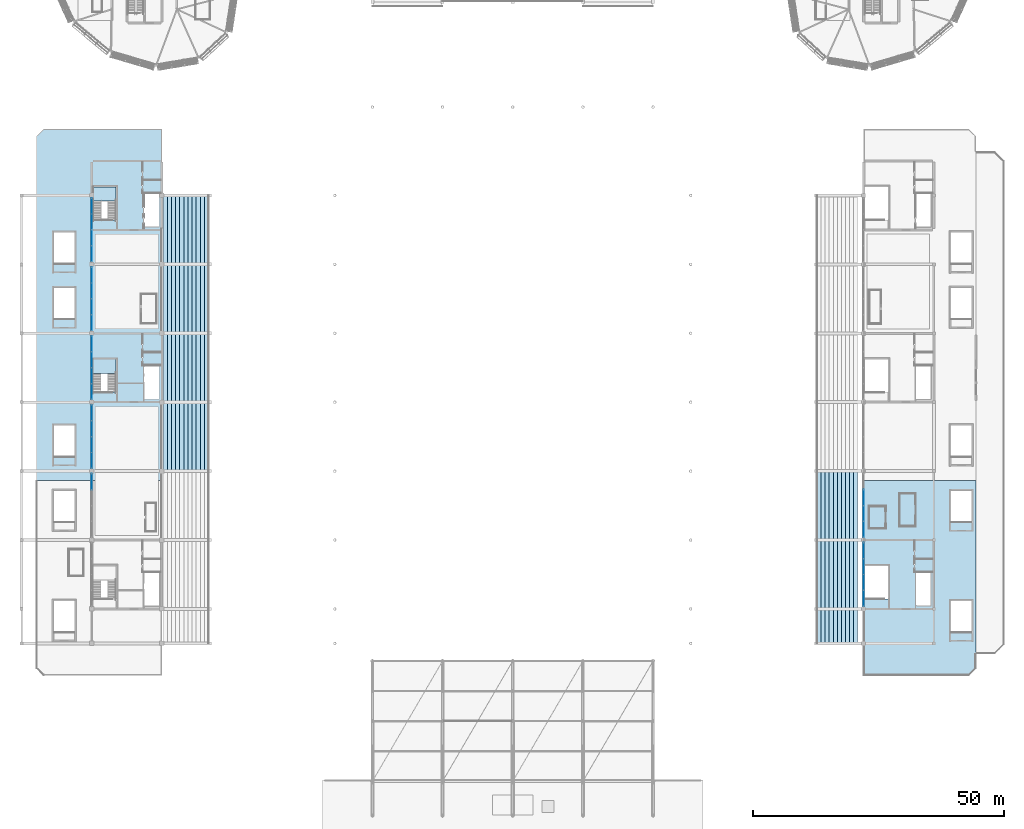
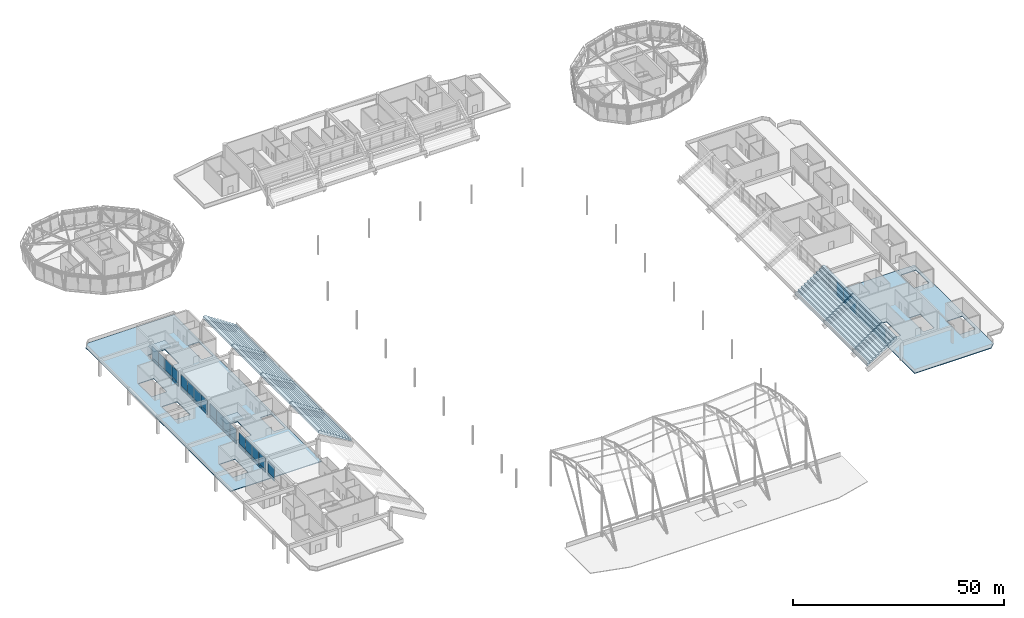
# One storey, part 61 of 90: 48 plates, 11 slabs, 9 elements without a shape of their own.
"""IFC4 building model written with IfcOpenShell, lengths in metres."""

from ifc_helpers import new_model, si_unit, direction, frame, origin, origin_2d, place, context, subcontext, project, spatial, polyline, rectangle, outline, extrude, material, layer, layer_set, type_object, element, aggregate, save


model = new_model("IFC4")

# Units and contexts
model_context = context("Model", 3, precision=1e-05, world=origin(), true_north=direction((0.0, 1.0)))
body_context = subcontext(model_context, "Body", "Model", "MODEL_VIEW")
ifc_project = project(units=[si_unit("LENGTHUNIT", "METRE"), si_unit("AREAUNIT", "SQUARE_METRE"), si_unit("VOLUMEUNIT", "CUBIC_METRE"), si_unit("PLANEANGLEUNIT", "RADIAN"), si_unit("MASSUNIT", "GRAM", prefix="KILO")], contexts=[model_context])

# Site, building, storey
site_placement = place(None, origin())
site = spatial("IfcSite", under=ifc_project, at=site_placement, CompositionType="ELEMENT")
building_placement = place(site_placement, origin())
building = spatial("IfcBuilding", under=site, at=building_placement, Name="Linyun Crest Stadium", CompositionType="ELEMENT")
storey_placement = place(building_placement, frame((0.0, 0.0, 21.0)))
storey = spatial("IfcBuildingStorey", under=building, at=storey_placement, Name="L05", CompositionType="ELEMENT", Elevation=21.0)

# Slabs
ifc_material_1 = material(Name="Concrete C40", Category="concrete")
ifc_layer_1 = layer(ifc_material_1, 0.199951171875)
ifc_layer_set_1 = layer_set([ifc_layer_1], Name="Concrete C40")
slab_type_1 = type_object("IfcSlabType", Name="FS02", PredefinedType="FLOOR", material=ifc_layer_set_1)
slab_1_placement = place(storey_placement, frame((0.0, 0.0, -0.199951171875)))
element("IfcSlab", 1, at=slab_1_placement, inside=storey, type_object=slab_type_1, Name="Slab FS02 V1 L05 11", PredefinedType="FLOOR", context=body_context, shape_type="SweptSolid", body=[
    extrude(outline(polyline([(-95.0, -13.489990234375), (-70.0, -13.489990234375), (-70.0, 56.5849609375), (-93.60009765625, 56.5849609375), (-95.0, 55.18505859375), (-95.0, -13.489990234375)]), holes=[polyline([(-83.800048828125, 4.14501953125), (-83.800048828125, 10.72509765625), (-79.10009765625, 10.72509765625), (-79.10009765625, 4.14501953125), (-83.800048828125, 4.14501953125)]), polyline([(-73.60009765625, 2.77490234375), (-73.60009765625, 9.375), (-70.60009765625, 9.375), (-70.60009765625, 2.77490234375), (-73.60009765625, 2.77490234375)]), polyline([(-83.77490234375, 38.52001953125), (-83.77490234375, 45.10009765625), (-79.10009765625, 45.10009765625), (-79.10009765625, 38.52001953125), (-83.77490234375, 38.52001953125)]), polyline([(-73.60009765625, 37.14990234375), (-73.60009765625, 43.75), (-70.60009765625, 43.75), (-70.60009765625, 37.14990234375), (-73.60009765625, 37.14990234375)]), polyline([(-91.60009765625, -8.75), (-91.60009765625, -2.5), (-87.39990234375, -2.5), (-87.39990234375, -8.75), (-91.60009765625, -8.75)]), polyline([(-91.60009765625, 18.75), (-91.60009765625, 25.0), (-87.39990234375, 25.0), (-87.39990234375, 18.75), (-91.60009765625, 18.75)]), polyline([(-91.60009765625, 29.75), (-91.60009765625, 36.0), (-87.39990234375, 36.0), (-87.39990234375, 29.75), (-91.60009765625, 29.75)])]), origin(), (0.0, 0.0, 1.0), 0.199951171875),
])
slab_2_placement = place(storey_placement, frame((0.0, 0.0, -0.199951171875)))
element("IfcSlab", 2, at=slab_2_placement, inside=storey, type_object=slab_type_1, Name="Slab FS02 V2 L05 26", PredefinedType="FLOOR", context=body_context, shape_type="SweptSolid", body=[
    extrude(outline(polyline([(70.0, -52.3349609375), (91.0, -52.3349609375), (92.39990234375, -50.93505859375), (92.39990234375, -13.510009765625), (70.0, -13.510009765625), (70.0, -52.3349609375)]), holes=[polyline([(70.175048828125, -37.10498046875), (70.175048828125, -30.52490234375), (74.89990234375, -30.52490234375), (74.89990234375, -37.10498046875), (70.175048828125, -37.10498046875)]), polyline([(80.39990234375, -38.47509765625), (80.39990234375, -31.875), (83.39990234375, -31.875), (83.39990234375, -38.47509765625), (80.39990234375, -38.47509765625)]), polyline([(87.39990234375, -43.75), (87.39990234375, -37.5), (91.60009765625, -37.5), (91.60009765625, -43.75), (87.39990234375, -43.75)]), polyline([(87.39990234375, -21.75), (87.39990234375, -15.5), (91.60009765625, -15.5), (91.60009765625, -21.75), (87.39990234375, -21.75)])]), origin(), (0.0, 0.0, 1.0), 0.199951171875),
])

# Curtain wall, plates
ifc_material_2 = material(Name="Verdigris steel and low-E curtain wall assembly", Category="steel")
curtain_wall_type = type_object("IfcCurtainWallType", Name="MCW01", PredefinedType="NOTDEFINED", material=ifc_material_2)
curtain_wall_1_placement = place(storey_placement, origin())
curtain_wall_1 = element("IfcCurtainWall", 3, at=curtain_wall_1_placement, inside=storey, type_object=curtain_wall_type, Name="CWR-081", PredefinedType="NOTDEFINED")
ifc_material_3 = material(Name="Double silver low-E insulated glass", Category="glass")
ifc_layer_2 = layer(ifc_material_3, 0.02587890625)
ifc_layer_set_2 = layer_set([ifc_layer_2], Name="Double silver low-E insulated glass")
plate_type_1 = type_object("IfcPlateType", Name="GP01", PredefinedType="CURTAIN_PANEL", material=ifc_layer_set_2)
plate_1_placement = place(storey_placement, frame((70.0, -36.993896484375, 0.9248046875), z_axis=(0.0, 0.0, 1.0), x_axis=(0.0, 1.0, 0.0)))
plate_1 = element("IfcPlate", 4, at=plate_1_placement, type_object=plate_type_1, Name="CWR-081 panel 1.2", PredefinedType="CURTAIN_PANEL", context=body_context, shape_type="SweptSolid", body=[
    extrude(rectangle(XDim=3.112548828125, YDim=0.02587890625, at=origin_2d()), origin(), (0.0, 0.0, 1.0), 3.300048828125),
])
plate_2_placement = place(storey_placement, frame((70.0, -33.8310546875, 0.9248046875), z_axis=(0.0, 0.0, 1.0), x_axis=(0.0, 1.0, 0.0)))
plate_2 = element("IfcPlate", 5, at=plate_2_placement, type_object=plate_type_1, Name="CWR-081 panel 2.2", PredefinedType="CURTAIN_PANEL", context=body_context, shape_type="SweptSolid", body=[
    extrude(rectangle(XDim=3.112548828125, YDim=0.02587890625, at=origin_2d()), origin(), (0.0, 0.0, 1.0), 3.300048828125),
])
plate_3_placement = place(storey_placement, frame((70.0, -30.6689453125, 0.9248046875), z_axis=(0.0, 0.0, 1.0), x_axis=(0.0, 1.0, 0.0)))
plate_3 = element("IfcPlate", 6, at=plate_3_placement, type_object=plate_type_1, Name="CWR-081 panel 3.2", PredefinedType="CURTAIN_PANEL", context=body_context, shape_type="SweptSolid", body=[
    extrude(rectangle(XDim=3.112548828125, YDim=0.02587890625, at=origin_2d()), origin(), (0.0, 0.0, 1.0), 3.300048828125),
])
plate_4_placement = place(storey_placement, frame((70.0, -27.506103515625, 0.9248046875), z_axis=(0.0, 0.0, 1.0), x_axis=(0.0, 1.0, 0.0)))
plate_4 = element("IfcPlate", 7, at=plate_4_placement, type_object=plate_type_1, Name="CWR-081 panel 4.2", PredefinedType="CURTAIN_PANEL", context=body_context, shape_type="SweptSolid", body=[
    extrude(rectangle(XDim=3.112548828125, YDim=0.02587890625, at=origin_2d()), origin(), (0.0, 0.0, 1.0), 3.300048828125),
])

# Curtain wall, plate
curtain_wall_2_placement = place(storey_placement, origin())
curtain_wall_2 = element("IfcCurtainWall", 8, at=curtain_wall_2_placement, inside=storey, type_object=curtain_wall_type, Name="CWR-085", PredefinedType="NOTDEFINED")
plate_5_placement = place(storey_placement, frame((-84.0, -13.756103515625, 0.9248046875), z_axis=(0.0, 0.0, 1.0), x_axis=(0.0, 1.0, 0.0)))
plate_5 = element("IfcPlate", 9, at=plate_5_placement, type_object=plate_type_1, Name="CWR-085 panel 4.2", PredefinedType="CURTAIN_PANEL", context=body_context, shape_type="SweptSolid", body=[
    extrude(rectangle(XDim=3.112548828125, YDim=0.02587890625, at=origin_2d()), origin(), (0.0, 0.0, 1.0), 3.300048828125),
])

# Curtain wall, plates
curtain_wall_3_placement = place(storey_placement, origin())
curtain_wall_3 = element("IfcCurtainWall", 10, at=curtain_wall_3_placement, inside=storey, type_object=curtain_wall_type, Name="CWR-090", PredefinedType="NOTDEFINED")
plate_6_placement = place(storey_placement, frame((70.0, -23.243896484375, 0.9248046875), z_axis=(0.0, 0.0, 1.0), x_axis=(0.0, 1.0, 0.0)))
plate_6 = element("IfcPlate", 11, at=plate_6_placement, type_object=plate_type_1, Name="CWR-090 panel 1.2", PredefinedType="CURTAIN_PANEL", context=body_context, shape_type="SweptSolid", body=[
    extrude(rectangle(XDim=3.112548828125, YDim=0.02587890625, at=origin_2d()), origin(), (0.0, 0.0, 1.0), 3.300048828125),
])
plate_7_placement = place(storey_placement, frame((70.0, -20.0810546875, 0.9248046875), z_axis=(0.0, 0.0, 1.0), x_axis=(0.0, 1.0, 0.0)))
plate_7 = element("IfcPlate", 12, at=plate_7_placement, type_object=plate_type_1, Name="CWR-090 panel 2.2", PredefinedType="CURTAIN_PANEL", context=body_context, shape_type="SweptSolid", body=[
    extrude(rectangle(XDim=3.112548828125, YDim=0.02587890625, at=origin_2d()), origin(), (0.0, 0.0, 1.0), 3.300048828125),
])
plate_8_placement = place(storey_placement, frame((70.0, -16.9189453125, 0.9248046875), z_axis=(0.0, 0.0, 1.0), x_axis=(0.0, 1.0, 0.0)))
plate_8 = element("IfcPlate", 13, at=plate_8_placement, type_object=plate_type_1, Name="CWR-090 panel 3.2", PredefinedType="CURTAIN_PANEL", context=body_context, shape_type="SweptSolid", body=[
    extrude(rectangle(XDim=3.112548828125, YDim=0.02587890625, at=origin_2d()), origin(), (0.0, 0.0, 1.0), 3.300048828125),
])

curtain_wall_4_placement = place(storey_placement, origin())
curtain_wall_4 = element("IfcCurtainWall", 14, at=curtain_wall_4_placement, inside=storey, type_object=curtain_wall_type, Name="CWR-094", PredefinedType="NOTDEFINED")
plate_9_placement = place(storey_placement, frame((-84.0, -9.493896484375, 0.9248046875), z_axis=(0.0, 0.0, 1.0), x_axis=(0.0, 1.0, 0.0)))
plate_9 = element("IfcPlate", 15, at=plate_9_placement, type_object=plate_type_1, Name="CWR-094 panel 1.2", PredefinedType="CURTAIN_PANEL", context=body_context, shape_type="SweptSolid", body=[
    extrude(rectangle(XDim=3.112548828125, YDim=0.02587890625, at=origin_2d()), origin(), (0.0, 0.0, 1.0), 3.300048828125),
])
plate_10_placement = place(storey_placement, frame((-84.0, -6.3310546875, 0.9248046875), z_axis=(0.0, 0.0, 1.0), x_axis=(0.0, 1.0, 0.0)))
plate_10 = element("IfcPlate", 16, at=plate_10_placement, type_object=plate_type_1, Name="CWR-094 panel 2.2", PredefinedType="CURTAIN_PANEL", context=body_context, shape_type="SweptSolid", body=[
    extrude(rectangle(XDim=3.112548828125, YDim=0.02587890625, at=origin_2d()), origin(), (0.0, 0.0, 1.0), 3.300048828125),
])
plate_11_placement = place(storey_placement, frame((-84.0, -3.1689453125, 0.9248046875), z_axis=(0.0, 0.0, 1.0), x_axis=(0.0, 1.0, 0.0)))
plate_11 = element("IfcPlate", 17, at=plate_11_placement, type_object=plate_type_1, Name="CWR-094 panel 3.2", PredefinedType="CURTAIN_PANEL", context=body_context, shape_type="SweptSolid", body=[
    extrude(rectangle(XDim=3.112548828125, YDim=0.02587890625, at=origin_2d()), origin(), (0.0, 0.0, 1.0), 3.300048828125),
])
plate_12_placement = place(storey_placement, frame((-84.0, -0.006103515625, 0.9248046875), z_axis=(0.0, 0.0, 1.0), x_axis=(0.0, 1.0, 0.0)))
plate_12 = element("IfcPlate", 18, at=plate_12_placement, type_object=plate_type_1, Name="CWR-094 panel 4.2", PredefinedType="CURTAIN_PANEL", context=body_context, shape_type="SweptSolid", body=[
    extrude(rectangle(XDim=3.112548828125, YDim=0.02587890625, at=origin_2d()), origin(), (0.0, 0.0, 1.0), 3.300048828125),
])

curtain_wall_5_placement = place(storey_placement, origin())
curtain_wall_5 = element("IfcCurtainWall", 19, at=curtain_wall_5_placement, inside=storey, type_object=curtain_wall_type, Name="CWR-103", PredefinedType="NOTDEFINED")
plate_13_placement = place(storey_placement, frame((-84.0, 4.256103515625, 0.9248046875), z_axis=(0.0, 0.0, 1.0), x_axis=(0.0, 1.0, 0.0)))
plate_13 = element("IfcPlate", 20, at=plate_13_placement, type_object=plate_type_1, Name="CWR-103 panel 1.2", PredefinedType="CURTAIN_PANEL", context=body_context, shape_type="SweptSolid", body=[
    extrude(rectangle(XDim=3.112548828125, YDim=0.02587890625, at=origin_2d()), origin(), (0.0, 0.0, 1.0), 3.300048828125),
])
plate_14_placement = place(storey_placement, frame((-84.0, 7.4189453125, 0.9248046875), z_axis=(0.0, 0.0, 1.0), x_axis=(0.0, 1.0, 0.0)))
plate_14 = element("IfcPlate", 21, at=plate_14_placement, type_object=plate_type_1, Name="CWR-103 panel 2.2", PredefinedType="CURTAIN_PANEL", context=body_context, shape_type="SweptSolid", body=[
    extrude(rectangle(XDim=3.112548828125, YDim=0.02587890625, at=origin_2d()), origin(), (0.0, 0.0, 1.0), 3.300048828125),
])
plate_15_placement = place(storey_placement, frame((-84.0, 10.5810546875, 0.9248046875), z_axis=(0.0, 0.0, 1.0), x_axis=(0.0, 1.0, 0.0)))
plate_15 = element("IfcPlate", 22, at=plate_15_placement, type_object=plate_type_1, Name="CWR-103 panel 3.2", PredefinedType="CURTAIN_PANEL", context=body_context, shape_type="SweptSolid", body=[
    extrude(rectangle(XDim=3.112548828125, YDim=0.02587890625, at=origin_2d()), origin(), (0.0, 0.0, 1.0), 3.300048828125),
])
plate_16_placement = place(storey_placement, frame((-84.0, 13.743896484375, 0.9248046875), z_axis=(0.0, 0.0, 1.0), x_axis=(0.0, 1.0, 0.0)))
plate_16 = element("IfcPlate", 23, at=plate_16_placement, type_object=plate_type_1, Name="CWR-103 panel 4.2", PredefinedType="CURTAIN_PANEL", context=body_context, shape_type="SweptSolid", body=[
    extrude(rectangle(XDim=3.112548828125, YDim=0.02587890625, at=origin_2d()), origin(), (0.0, 0.0, 1.0), 3.300048828125),
])

curtain_wall_6_placement = place(storey_placement, origin())
curtain_wall_6 = element("IfcCurtainWall", 24, at=curtain_wall_6_placement, inside=storey, type_object=curtain_wall_type, Name="CWR-112", PredefinedType="NOTDEFINED")
plate_17_placement = place(storey_placement, frame((-84.0, 18.006103515625, 0.9248046875), z_axis=(0.0, 0.0, 1.0), x_axis=(0.0, 1.0, 0.0)))
plate_17 = element("IfcPlate", 25, at=plate_17_placement, type_object=plate_type_1, Name="CWR-112 panel 1.2", PredefinedType="CURTAIN_PANEL", context=body_context, shape_type="SweptSolid", body=[
    extrude(rectangle(XDim=3.112548828125, YDim=0.02587890625, at=origin_2d()), origin(), (0.0, 0.0, 1.0), 3.300048828125),
])
plate_18_placement = place(storey_placement, frame((-84.0, 21.1689453125, 0.9248046875), z_axis=(0.0, 0.0, 1.0), x_axis=(0.0, 1.0, 0.0)))
plate_18 = element("IfcPlate", 26, at=plate_18_placement, type_object=plate_type_1, Name="CWR-112 panel 2.2", PredefinedType="CURTAIN_PANEL", context=body_context, shape_type="SweptSolid", body=[
    extrude(rectangle(XDim=3.112548828125, YDim=0.02587890625, at=origin_2d()), origin(), (0.0, 0.0, 1.0), 3.300048828125),
])
plate_19_placement = place(storey_placement, frame((-84.0, 24.3310546875, 0.9248046875), z_axis=(0.0, 0.0, 1.0), x_axis=(0.0, 1.0, 0.0)))
plate_19 = element("IfcPlate", 27, at=plate_19_placement, type_object=plate_type_1, Name="CWR-112 panel 3.2", PredefinedType="CURTAIN_PANEL", context=body_context, shape_type="SweptSolid", body=[
    extrude(rectangle(XDim=3.112548828125, YDim=0.02587890625, at=origin_2d()), origin(), (0.0, 0.0, 1.0), 3.300048828125),
])
plate_20_placement = place(storey_placement, frame((-84.0, 27.493896484375, 0.9248046875), z_axis=(0.0, 0.0, 1.0), x_axis=(0.0, 1.0, 0.0)))
plate_20 = element("IfcPlate", 28, at=plate_20_placement, type_object=plate_type_1, Name="CWR-112 panel 4.2", PredefinedType="CURTAIN_PANEL", context=body_context, shape_type="SweptSolid", body=[
    extrude(rectangle(XDim=3.112548828125, YDim=0.02587890625, at=origin_2d()), origin(), (0.0, 0.0, 1.0), 3.300048828125),
])

curtain_wall_7_placement = place(storey_placement, origin())
curtain_wall_7 = element("IfcCurtainWall", 29, at=curtain_wall_7_placement, inside=storey, type_object=curtain_wall_type, Name="CWR-121", PredefinedType="NOTDEFINED")
plate_21_placement = place(storey_placement, frame((-84.0, 31.756103515625, 0.9248046875), z_axis=(0.0, 0.0, 1.0), x_axis=(0.0, 1.0, 0.0)))
plate_21 = element("IfcPlate", 30, at=plate_21_placement, type_object=plate_type_1, Name="CWR-121 panel 1.2", PredefinedType="CURTAIN_PANEL", context=body_context, shape_type="SweptSolid", body=[
    extrude(rectangle(XDim=3.112548828125, YDim=0.02587890625, at=origin_2d()), origin(), (0.0, 0.0, 1.0), 3.300048828125),
])
plate_22_placement = place(storey_placement, frame((-84.0, 34.9189453125, 0.9248046875), z_axis=(0.0, 0.0, 1.0), x_axis=(0.0, 1.0, 0.0)))
plate_22 = element("IfcPlate", 31, at=plate_22_placement, type_object=plate_type_1, Name="CWR-121 panel 2.2", PredefinedType="CURTAIN_PANEL", context=body_context, shape_type="SweptSolid", body=[
    extrude(rectangle(XDim=3.112548828125, YDim=0.02587890625, at=origin_2d()), origin(), (0.0, 0.0, 1.0), 3.300048828125),
])
plate_23_placement = place(storey_placement, frame((-84.0, 38.0810546875, 0.9248046875), z_axis=(0.0, 0.0, 1.0), x_axis=(0.0, 1.0, 0.0)))
plate_23 = element("IfcPlate", 32, at=plate_23_placement, type_object=plate_type_1, Name="CWR-121 panel 3.2", PredefinedType="CURTAIN_PANEL", context=body_context, shape_type="SweptSolid", body=[
    extrude(rectangle(XDim=3.112548828125, YDim=0.02587890625, at=origin_2d()), origin(), (0.0, 0.0, 1.0), 3.300048828125),
])
plate_24_placement = place(storey_placement, frame((-84.0, 41.243896484375, 0.9248046875), z_axis=(0.0, 0.0, 1.0), x_axis=(0.0, 1.0, 0.0)))
plate_24 = element("IfcPlate", 33, at=plate_24_placement, type_object=plate_type_1, Name="CWR-121 panel 4.2", PredefinedType="CURTAIN_PANEL", context=body_context, shape_type="SweptSolid", body=[
    extrude(rectangle(XDim=3.112548828125, YDim=0.02587890625, at=origin_2d()), origin(), (0.0, 0.0, 1.0), 3.300048828125),
])

# Stair, slab
ifc_material_4 = material(Name="Concrete C40", Category="concrete")
stair_type = type_object("IfcStairType", Name="STA02", PredefinedType="HALF_TURN_STAIR", material=ifc_material_4)
stair_1_placement = place(storey_placement, origin())
stair_1 = element("IfcStair", 34, at=stair_1_placement, inside=storey, type_object=stair_type, Name="Evacuation stair STR-02-L05", PredefinedType="HALF_TURN_STAIR")
ifc_material_5 = material(Name="Concrete C40", Category="concrete")
ifc_layer_3 = layer(ifc_material_5, 0.179931640625)
ifc_layer_set_3 = layer_set([ifc_layer_3], Name="Concrete C40")
slab_type_2 = type_object("IfcSlabType", Name="LS01", PredefinedType="LANDING", material=ifc_layer_set_3)
slab_3_placement = place(storey_placement, frame((0.0, 0.0, 2.52001953125)))
slab_3 = element("IfcSlab", 35, at=slab_3_placement, type_object=slab_type_2, Name="STR-02-L05 half-landing", PredefinedType="LANDING", context=body_context, shape_type="SweptSolid", body=[
    extrude(outline(polyline([(-83.800048828125, 7.864990234375), (-79.10009765625, 7.864990234375), (-79.10009765625, 10.72509765625), (-83.800048828125, 10.72509765625), (-83.800048828125, 7.864990234375)])), origin(), (0.0, 0.0, 1.0), 0.179931640625),
])
aggregate(stair_1, [slab_3])

stair_2_placement = place(storey_placement, origin())
stair_2 = element("IfcStair", 36, at=stair_2_placement, inside=storey, type_object=stair_type, Name="Evacuation stair STR-03-L05", PredefinedType="HALF_TURN_STAIR")
slab_4_placement = place(storey_placement, frame((0.0, 0.0, 2.52001953125)))
slab_4 = element("IfcSlab", 37, at=slab_4_placement, type_object=slab_type_2, Name="STR-03-L05 half-landing", PredefinedType="LANDING", context=body_context, shape_type="SweptSolid", body=[
    extrude(outline(polyline([(-83.77490234375, 42.239990234375), (-79.10009765625, 42.239990234375), (-79.10009765625, 45.10009765625), (-83.77490234375, 45.10009765625), (-83.77490234375, 42.239990234375)])), origin(), (0.0, 0.0, 1.0), 0.179931640625),
])
aggregate(stair_2, [slab_4])

# Plate
ifc_material_6 = material(Name="Celadon glazed ceramic faience insulated spandrel")
ifc_layer_4 = layer(ifc_material_6, 0.0419921875)
ifc_layer_set_4 = layer_set([ifc_layer_4], Name="Celadon glazed ceramic faience insulated spandrel")
plate_type_2 = type_object("IfcPlateType", Name="SP01", PredefinedType="SHEET", material=ifc_layer_set_4)
plate_25_placement = place(storey_placement, frame((70.0, -36.993896484375, 0.02490234375), z_axis=(0.0, 0.0, 1.0), x_axis=(0.0, 1.0, 0.0)))
plate_25 = element("IfcPlate", 38, at=plate_25_placement, type_object=plate_type_2, Name="CWR-081 panel 1.1", PredefinedType="SHEET", context=body_context, shape_type="SweptSolid", body=[
    extrude(rectangle(XDim=3.112548828125, YDim=0.0419921875, at=origin_2d()), origin(), (0.0, 0.0, 1.0), 0.85009765625),
])

plate_26_placement = place(storey_placement, frame((70.0, -33.8310546875, 0.02490234375), z_axis=(0.0, 0.0, 1.0), x_axis=(0.0, 1.0, 0.0)))
plate_26 = element("IfcPlate", 39, at=plate_26_placement, type_object=plate_type_2, Name="CWR-081 panel 2.1", PredefinedType="SHEET", context=body_context, shape_type="SweptSolid", body=[
    extrude(rectangle(XDim=3.112548828125, YDim=0.0419921875, at=origin_2d()), origin(), (0.0, 0.0, 1.0), 0.85009765625),
])

plate_27_placement = place(storey_placement, frame((70.0, -30.6689453125, 0.02490234375), z_axis=(0.0, 0.0, 1.0), x_axis=(0.0, 1.0, 0.0)))
plate_27 = element("IfcPlate", 40, at=plate_27_placement, type_object=plate_type_2, Name="CWR-081 panel 3.1", PredefinedType="SHEET", context=body_context, shape_type="SweptSolid", body=[
    extrude(rectangle(XDim=3.112548828125, YDim=0.0419921875, at=origin_2d()), origin(), (0.0, 0.0, 1.0), 0.85009765625),
])

plate_28_placement = place(storey_placement, frame((70.0, -27.506103515625, 0.02490234375), z_axis=(0.0, 0.0, 1.0), x_axis=(0.0, 1.0, 0.0)))
plate_28 = element("IfcPlate", 41, at=plate_28_placement, type_object=plate_type_2, Name="CWR-081 panel 4.1", PredefinedType="SHEET", context=body_context, shape_type="SweptSolid", body=[
    extrude(rectangle(XDim=3.112548828125, YDim=0.0419921875, at=origin_2d()), origin(), (0.0, 0.0, 1.0), 0.85009765625),
])

aggregate(curtain_wall_1, [plate_25, plate_1, plate_26, plate_2, plate_27, plate_3, plate_28, plate_4])

plate_29_placement = place(storey_placement, frame((-84.0, -13.756103515625, 0.02490234375), z_axis=(0.0, 0.0, 1.0), x_axis=(0.0, 1.0, 0.0)))
plate_29 = element("IfcPlate", 42, at=plate_29_placement, type_object=plate_type_2, Name="CWR-085 panel 4.1", PredefinedType="SHEET", context=body_context, shape_type="SweptSolid", body=[
    extrude(rectangle(XDim=3.112548828125, YDim=0.0419921875, at=origin_2d()), origin(), (0.0, 0.0, 1.0), 0.85009765625),
])

aggregate(curtain_wall_2, [plate_29, plate_5])

plate_30_placement = place(storey_placement, frame((70.0, -23.243896484375, 0.02490234375), z_axis=(0.0, 0.0, 1.0), x_axis=(0.0, 1.0, 0.0)))
plate_30 = element("IfcPlate", 43, at=plate_30_placement, type_object=plate_type_2, Name="CWR-090 panel 1.1", PredefinedType="SHEET", context=body_context, shape_type="SweptSolid", body=[
    extrude(rectangle(XDim=3.112548828125, YDim=0.0419921875, at=origin_2d()), origin(), (0.0, 0.0, 1.0), 0.85009765625),
])

plate_31_placement = place(storey_placement, frame((70.0, -20.0810546875, 0.02490234375), z_axis=(0.0, 0.0, 1.0), x_axis=(0.0, 1.0, 0.0)))
plate_31 = element("IfcPlate", 44, at=plate_31_placement, type_object=plate_type_2, Name="CWR-090 panel 2.1", PredefinedType="SHEET", context=body_context, shape_type="SweptSolid", body=[
    extrude(rectangle(XDim=3.112548828125, YDim=0.0419921875, at=origin_2d()), origin(), (0.0, 0.0, 1.0), 0.85009765625),
])

plate_32_placement = place(storey_placement, frame((70.0, -16.9189453125, 0.02490234375), z_axis=(0.0, 0.0, 1.0), x_axis=(0.0, 1.0, 0.0)))
plate_32 = element("IfcPlate", 45, at=plate_32_placement, type_object=plate_type_2, Name="CWR-090 panel 3.1", PredefinedType="SHEET", context=body_context, shape_type="SweptSolid", body=[
    extrude(rectangle(XDim=3.112548828125, YDim=0.0419921875, at=origin_2d()), origin(), (0.0, 0.0, 1.0), 0.85009765625),
])

aggregate(curtain_wall_3, [plate_30, plate_6, plate_31, plate_7, plate_32, plate_8])

plate_33_placement = place(storey_placement, frame((-84.0, -9.493896484375, 0.02490234375), z_axis=(0.0, 0.0, 1.0), x_axis=(0.0, 1.0, 0.0)))
plate_33 = element("IfcPlate", 46, at=plate_33_placement, type_object=plate_type_2, Name="CWR-094 panel 1.1", PredefinedType="SHEET", context=body_context, shape_type="SweptSolid", body=[
    extrude(rectangle(XDim=3.112548828125, YDim=0.0419921875, at=origin_2d()), origin(), (0.0, 0.0, 1.0), 0.85009765625),
])

plate_34_placement = place(storey_placement, frame((-84.0, -6.3310546875, 0.02490234375), z_axis=(0.0, 0.0, 1.0), x_axis=(0.0, 1.0, 0.0)))
plate_34 = element("IfcPlate", 47, at=plate_34_placement, type_object=plate_type_2, Name="CWR-094 panel 2.1", PredefinedType="SHEET", context=body_context, shape_type="SweptSolid", body=[
    extrude(rectangle(XDim=3.112548828125, YDim=0.0419921875, at=origin_2d()), origin(), (0.0, 0.0, 1.0), 0.85009765625),
])

plate_35_placement = place(storey_placement, frame((-84.0, -3.1689453125, 0.02490234375), z_axis=(0.0, 0.0, 1.0), x_axis=(0.0, 1.0, 0.0)))
plate_35 = element("IfcPlate", 48, at=plate_35_placement, type_object=plate_type_2, Name="CWR-094 panel 3.1", PredefinedType="SHEET", context=body_context, shape_type="SweptSolid", body=[
    extrude(rectangle(XDim=3.112548828125, YDim=0.0419921875, at=origin_2d()), origin(), (0.0, 0.0, 1.0), 0.85009765625),
])

plate_36_placement = place(storey_placement, frame((-84.0, -0.006103515625, 0.02490234375), z_axis=(0.0, 0.0, 1.0), x_axis=(0.0, 1.0, 0.0)))
plate_36 = element("IfcPlate", 49, at=plate_36_placement, type_object=plate_type_2, Name="CWR-094 panel 4.1", PredefinedType="SHEET", context=body_context, shape_type="SweptSolid", body=[
    extrude(rectangle(XDim=3.112548828125, YDim=0.0419921875, at=origin_2d()), origin(), (0.0, 0.0, 1.0), 0.85009765625),
])

aggregate(curtain_wall_4, [plate_33, plate_9, plate_34, plate_10, plate_35, plate_11, plate_36, plate_12])

plate_37_placement = place(storey_placement, frame((-84.0, 4.256103515625, 0.02490234375), z_axis=(0.0, 0.0, 1.0), x_axis=(0.0, 1.0, 0.0)))
plate_37 = element("IfcPlate", 50, at=plate_37_placement, type_object=plate_type_2, Name="CWR-103 panel 1.1", PredefinedType="SHEET", context=body_context, shape_type="SweptSolid", body=[
    extrude(rectangle(XDim=3.112548828125, YDim=0.0419921875, at=origin_2d()), origin(), (0.0, 0.0, 1.0), 0.85009765625),
])

plate_38_placement = place(storey_placement, frame((-84.0, 7.4189453125, 0.02490234375), z_axis=(0.0, 0.0, 1.0), x_axis=(0.0, 1.0, 0.0)))
plate_38 = element("IfcPlate", 51, at=plate_38_placement, type_object=plate_type_2, Name="CWR-103 panel 2.1", PredefinedType="SHEET", context=body_context, shape_type="SweptSolid", body=[
    extrude(rectangle(XDim=3.112548828125, YDim=0.0419921875, at=origin_2d()), origin(), (0.0, 0.0, 1.0), 0.85009765625),
])

plate_39_placement = place(storey_placement, frame((-84.0, 10.5810546875, 0.02490234375), z_axis=(0.0, 0.0, 1.0), x_axis=(0.0, 1.0, 0.0)))
plate_39 = element("IfcPlate", 52, at=plate_39_placement, type_object=plate_type_2, Name="CWR-103 panel 3.1", PredefinedType="SHEET", context=body_context, shape_type="SweptSolid", body=[
    extrude(rectangle(XDim=3.112548828125, YDim=0.0419921875, at=origin_2d()), origin(), (0.0, 0.0, 1.0), 0.85009765625),
])

plate_40_placement = place(storey_placement, frame((-84.0, 13.743896484375, 0.02490234375), z_axis=(0.0, 0.0, 1.0), x_axis=(0.0, 1.0, 0.0)))
plate_40 = element("IfcPlate", 53, at=plate_40_placement, type_object=plate_type_2, Name="CWR-103 panel 4.1", PredefinedType="SHEET", context=body_context, shape_type="SweptSolid", body=[
    extrude(rectangle(XDim=3.112548828125, YDim=0.0419921875, at=origin_2d()), origin(), (0.0, 0.0, 1.0), 0.85009765625),
])

aggregate(curtain_wall_5, [plate_37, plate_13, plate_38, plate_14, plate_39, plate_15, plate_40, plate_16])

plate_41_placement = place(storey_placement, frame((-84.0, 18.006103515625, 0.02490234375), z_axis=(0.0, 0.0, 1.0), x_axis=(0.0, 1.0, 0.0)))
plate_41 = element("IfcPlate", 54, at=plate_41_placement, type_object=plate_type_2, Name="CWR-112 panel 1.1", PredefinedType="SHEET", context=body_context, shape_type="SweptSolid", body=[
    extrude(rectangle(XDim=3.112548828125, YDim=0.0419921875, at=origin_2d()), origin(), (0.0, 0.0, 1.0), 0.85009765625),
])

plate_42_placement = place(storey_placement, frame((-84.0, 21.1689453125, 0.02490234375), z_axis=(0.0, 0.0, 1.0), x_axis=(0.0, 1.0, 0.0)))
plate_42 = element("IfcPlate", 55, at=plate_42_placement, type_object=plate_type_2, Name="CWR-112 panel 2.1", PredefinedType="SHEET", context=body_context, shape_type="SweptSolid", body=[
    extrude(rectangle(XDim=3.112548828125, YDim=0.0419921875, at=origin_2d()), origin(), (0.0, 0.0, 1.0), 0.85009765625),
])

plate_43_placement = place(storey_placement, frame((-84.0, 24.3310546875, 0.02490234375), z_axis=(0.0, 0.0, 1.0), x_axis=(0.0, 1.0, 0.0)))
plate_43 = element("IfcPlate", 56, at=plate_43_placement, type_object=plate_type_2, Name="CWR-112 panel 3.1", PredefinedType="SHEET", context=body_context, shape_type="SweptSolid", body=[
    extrude(rectangle(XDim=3.112548828125, YDim=0.0419921875, at=origin_2d()), origin(), (0.0, 0.0, 1.0), 0.85009765625),
])

plate_44_placement = place(storey_placement, frame((-84.0, 27.493896484375, 0.02490234375), z_axis=(0.0, 0.0, 1.0), x_axis=(0.0, 1.0, 0.0)))
plate_44 = element("IfcPlate", 57, at=plate_44_placement, type_object=plate_type_2, Name="CWR-112 panel 4.1", PredefinedType="SHEET", context=body_context, shape_type="SweptSolid", body=[
    extrude(rectangle(XDim=3.112548828125, YDim=0.0419921875, at=origin_2d()), origin(), (0.0, 0.0, 1.0), 0.85009765625),
])

aggregate(curtain_wall_6, [plate_41, plate_17, plate_42, plate_18, plate_43, plate_19, plate_44, plate_20])

plate_45_placement = place(storey_placement, frame((-84.0, 31.756103515625, 0.02490234375), z_axis=(0.0, 0.0, 1.0), x_axis=(0.0, 1.0, 0.0)))
plate_45 = element("IfcPlate", 58, at=plate_45_placement, type_object=plate_type_2, Name="CWR-121 panel 1.1", PredefinedType="SHEET", context=body_context, shape_type="SweptSolid", body=[
    extrude(rectangle(XDim=3.112548828125, YDim=0.0419921875, at=origin_2d()), origin(), (0.0, 0.0, 1.0), 0.85009765625),
])

plate_46_placement = place(storey_placement, frame((-84.0, 34.9189453125, 0.02490234375), z_axis=(0.0, 0.0, 1.0), x_axis=(0.0, 1.0, 0.0)))
plate_46 = element("IfcPlate", 59, at=plate_46_placement, type_object=plate_type_2, Name="CWR-121 panel 2.1", PredefinedType="SHEET", context=body_context, shape_type="SweptSolid", body=[
    extrude(rectangle(XDim=3.112548828125, YDim=0.0419921875, at=origin_2d()), origin(), (0.0, 0.0, 1.0), 0.85009765625),
])

plate_47_placement = place(storey_placement, frame((-84.0, 38.0810546875, 0.02490234375), z_axis=(0.0, 0.0, 1.0), x_axis=(0.0, 1.0, 0.0)))
plate_47 = element("IfcPlate", 60, at=plate_47_placement, type_object=plate_type_2, Name="CWR-121 panel 3.1", PredefinedType="SHEET", context=body_context, shape_type="SweptSolid", body=[
    extrude(rectangle(XDim=3.112548828125, YDim=0.0419921875, at=origin_2d()), origin(), (0.0, 0.0, 1.0), 0.85009765625),
])

plate_48_placement = place(storey_placement, frame((-84.0, 41.243896484375, 0.02490234375), z_axis=(0.0, 0.0, 1.0), x_axis=(0.0, 1.0, 0.0)))
plate_48 = element("IfcPlate", 61, at=plate_48_placement, type_object=plate_type_2, Name="CWR-121 panel 4.1", PredefinedType="SHEET", context=body_context, shape_type="SweptSolid", body=[
    extrude(rectangle(XDim=3.112548828125, YDim=0.0419921875, at=origin_2d()), origin(), (0.0, 0.0, 1.0), 0.85009765625),
])

aggregate(curtain_wall_7, [plate_45, plate_21, plate_46, plate_22, plate_47, plate_23, plate_48, plate_24])

# Slabs
ifc_material_7 = material(Name="Precast concrete C50", Category="concrete")
ifc_layer_5 = layer(ifc_material_7, 0.199951171875)
ifc_layer_set_5 = layer_set([ifc_layer_5], Name="Precast concrete C50")
slab_type_3 = type_object("IfcSlabType", Name="ST05", PredefinedType="USERDEFINED", material=ifc_layer_set_5)
for number, where, z_axis, x_axis, name in (
    (62, (-60.699951171875, -11.544921875, 1.550048828125), (0.0, 0.0, 1.0), (-1.0, 0.0, 0.0), "Precast seating tier ST05 V1 28"),
    (63, (-60.699951171875, 2.205078125, 1.550048828125), (0.0, 0.0, 1.0), (-1.0, 0.0, 0.0), "Precast seating tier ST05 V1 36"),
    (64, (-60.699951171875, 15.955078125, 1.550048828125), (0.0, 0.0, 1.0), (-1.0, 0.0, 0.0), "Precast seating tier ST05 V1 44"),
    (65, (-60.699951171875, 29.705078125, 1.550048828125), (0.0, 0.0, 1.0), (-1.0, 0.0, 0.0), "Precast seating tier ST05 V1 52"),
):
    element("IfcSlab", number, at=place(storey_placement, frame(where, z_axis=z_axis, x_axis=x_axis)), inside=storey, type_object=slab_type_3, Name=name, ObjectType="SEATING TIER", PredefinedType="USERDEFINED", context=body_context, shape_type="SweptSolid", body=[
        extrude(outline(polyline([(0.0, 0.0), (0.0, 0.5400390625), (0.820068359375, 0.5400390625), (0.820068359375, 1.080078125), (1.639892578125, 1.080078125), (1.639892578125, 1.6201171875), (2.4599609375, 1.6201171875), (2.4599609375, 2.159912109375), (3.280029296875, 2.159912109375), (3.280029296875, 2.699951171875), (4.10009765625, 2.699951171875), (4.10009765625, 3.239990234375), (4.919921875, 3.239990234375), (4.919921875, 3.780029296875), (5.739990234375, 3.780029296875), (5.739990234375, 4.320068359375), (6.56005859375, 4.320068359375), (6.56005859375, 4.860107421875), (7.3798828125, 4.860107421875), (7.3798828125, 5.39990234375), (8.199951171875, 5.39990234375), (8.199951171875, 5.93994140625), (9.02001953125, 5.93994140625), (9.02001953125, 5.199951171875), (0.0, -0.199951171875), (0.0, 0.0)])), frame((0.0, 0.0, 0.0), z_axis=(0.0, -1.0, 0.0), x_axis=(1.0, 0.0, 0.0)), (0.0, 0.0, 1.0), 13.58984375),
    ])
ifc_material_8 = material(Name="Precast concrete C50", Category="concrete")
ifc_layer_6 = layer(ifc_material_8, 0.2099609375)
ifc_layer_set_6 = layer_set([ifc_layer_6], Name="Precast concrete C50")
slab_type_4 = type_object("IfcSlabType", Name="ST06", PredefinedType="USERDEFINED", material=ifc_layer_set_6)
slab_5_placement = place(storey_placement, frame((60.699951171875, -45.919921875, 1.550048828125), z_axis=(0.0, 0.0, 1.0), x_axis=(1.0, 0.0, 0.0)))
element("IfcSlab", 66, at=slab_5_placement, inside=storey, type_object=slab_type_4, Name="Precast seating tier ST06 V2 8", ObjectType="SEATING TIER", PredefinedType="USERDEFINED", context=body_context, shape_type="SweptSolid", body=[
    extrude(outline(polyline([(0.0, 0.0), (0.0, -0.56005859375), (0.81005859375, -0.56005859375), (0.81005859375, -1.1201171875), (1.6201171875, -1.1201171875), (1.6201171875, -1.679931640625), (2.429931640625, -1.679931640625), (2.429931640625, -2.239990234375), (3.239990234375, -2.239990234375), (3.239990234375, -2.800048828125), (4.050048828125, -2.800048828125), (4.050048828125, -3.360107421875), (4.860107421875, -3.360107421875), (4.860107421875, -3.919921875), (5.669921875, -3.919921875), (5.669921875, -4.47998046875), (6.47998046875, -4.47998046875), (6.47998046875, -5.0400390625), (7.2900390625, -5.0400390625), (7.2900390625, -5.60009765625), (8.10009765625, -5.60009765625), (8.10009765625, -4.830078125), (0.0, 0.2099609375), (0.0, 0.0)])), frame((0.0, 0.0, 0.0), z_axis=(0.0, 1.0, 0.0), x_axis=(1.0, 0.0, 0.0)), (0.0, 0.0, 1.0), 6.71484375),
])
for number, where, z_axis, x_axis, name in (
    (67, (60.699951171875, -39.044921875, 1.550048828125), (0.0, 0.0, 1.0), (1.0, 0.0, 0.0), "Precast seating tier ST06 V2 16"),
    (68, (60.699951171875, -25.294921875, 1.550048828125), (0.0, 0.0, 1.0), (1.0, 0.0, 0.0), "Precast seating tier ST06 V2 24"),
):
    element("IfcSlab", number, at=place(storey_placement, frame(where, z_axis=z_axis, x_axis=x_axis)), inside=storey, type_object=slab_type_4, Name=name, ObjectType="SEATING TIER", PredefinedType="USERDEFINED", context=body_context, shape_type="SweptSolid", body=[
        extrude(outline(polyline([(0.0, 0.0), (0.0, -0.56005859375), (0.81005859375, -0.56005859375), (0.81005859375, -1.1201171875), (1.6201171875, -1.1201171875), (1.6201171875, -1.679931640625), (2.429931640625, -1.679931640625), (2.429931640625, -2.239990234375), (3.239990234375, -2.239990234375), (3.239990234375, -2.800048828125), (4.050048828125, -2.800048828125), (4.050048828125, -3.360107421875), (4.860107421875, -3.360107421875), (4.860107421875, -3.919921875), (5.669921875, -3.919921875), (5.669921875, -4.47998046875), (6.47998046875, -4.47998046875), (6.47998046875, -5.0400390625), (7.2900390625, -5.0400390625), (7.2900390625, -5.60009765625), (8.10009765625, -5.60009765625), (8.10009765625, -4.830078125), (0.0, 0.2099609375), (0.0, 0.0)])), frame((0.0, 0.0, 0.0), z_axis=(0.0, 1.0, 0.0), x_axis=(1.0, 0.0, 0.0)), (0.0, 0.0, 1.0), 13.58984375),
    ])

save(model, "model.ifc")
